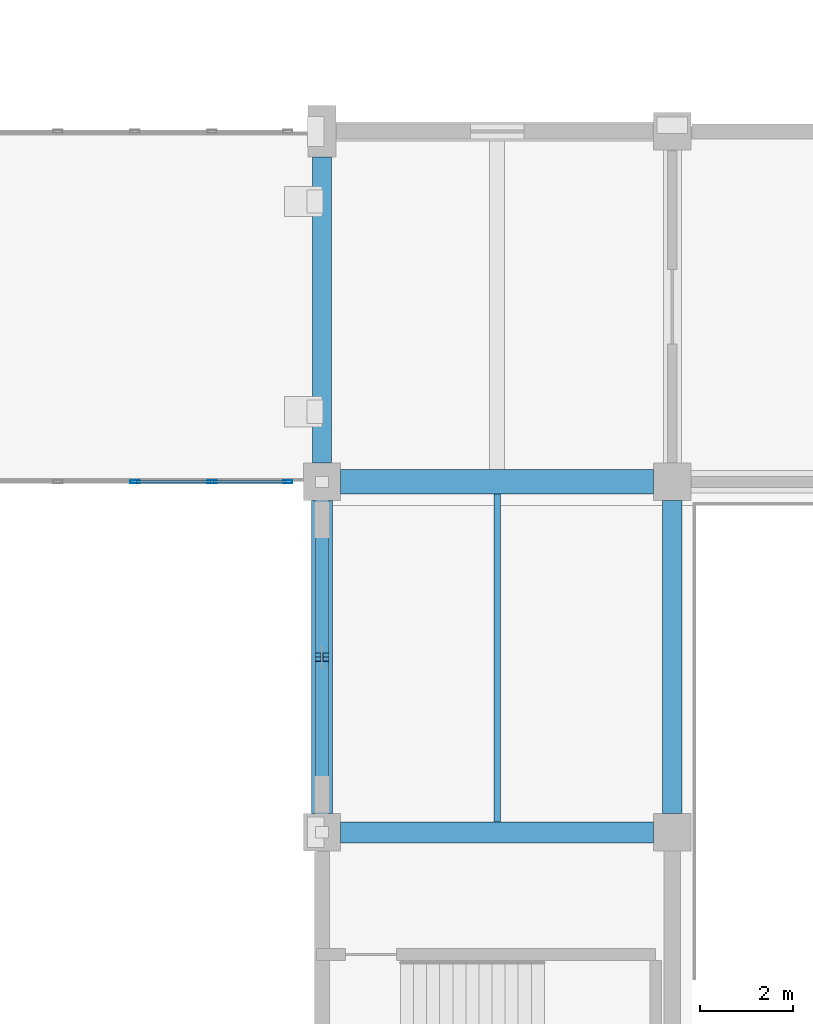
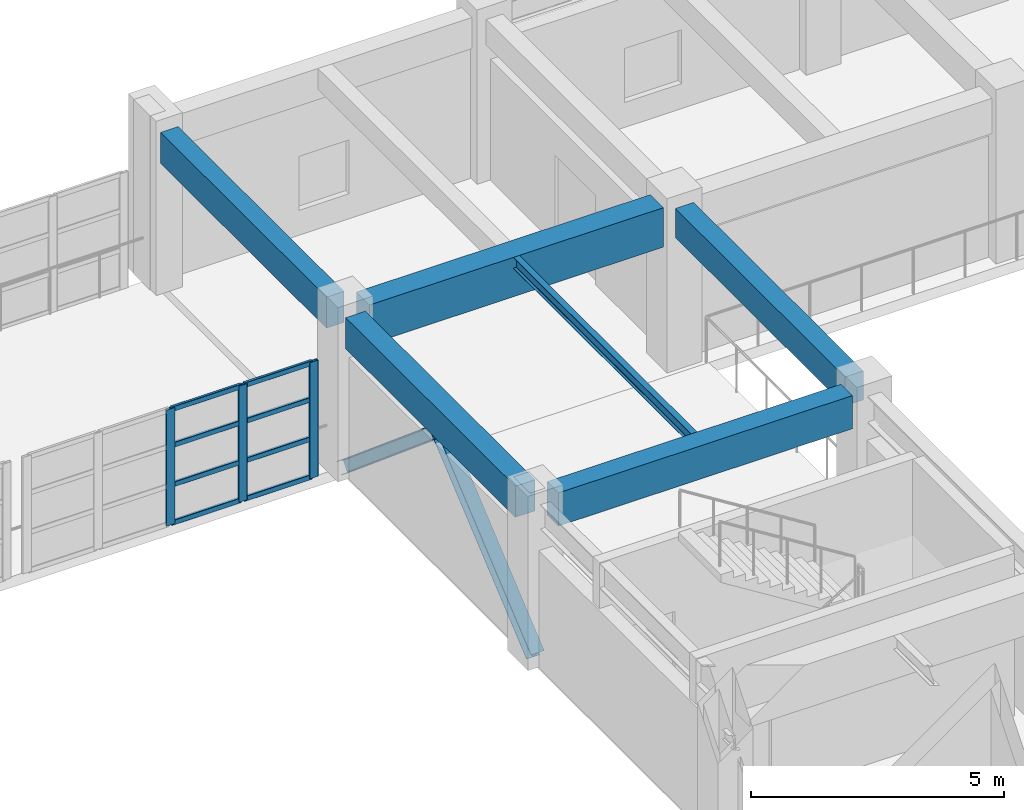
# One storey, part 45 of 124: 13 members, 6 beams, 1 element without a shape of its own.
"""IFC4 building model written with IfcOpenShell, lengths in metres."""

from ifc_helpers import new_model, si_unit, direction, frame, origin, origin_2d, place, context, subcontext, project, spatial, rectangle, hollow_rectangle, i_section, extrude, material, material_profile, profile_set, type_object, element, aggregate, save


model = new_model("IFC4")

# Units and contexts
model_context = context("Model", 3, precision=1e-05, world=origin(), true_north=direction((0.0, 1.0)))
body_context = subcontext(model_context, "Body", "Model", "MODEL_VIEW")
ifc_project = project(units=[si_unit("LENGTHUNIT", "METRE"), si_unit("AREAUNIT", "SQUARE_METRE"), si_unit("VOLUMEUNIT", "CUBIC_METRE"), si_unit("PLANEANGLEUNIT", "RADIAN"), si_unit("MASSUNIT", "GRAM", prefix="KILO")], contexts=[model_context])

# Site, building, storey
site_placement = place(None, origin())
site = spatial("IfcSite", under=ifc_project, at=site_placement, CompositionType="ELEMENT")
building_placement = place(site_placement, origin())
building = spatial("IfcBuilding", under=site, at=building_placement, Name="Qasida Concert Hall", CompositionType="ELEMENT")
storey_placement = place(building_placement, frame((0.0, 0.0, 9.0)))
storey = spatial("IfcBuildingStorey", under=building, at=storey_placement, Name="L02", CompositionType="ELEMENT", Elevation=9.0)

# Beams
ifc_material_1 = material(Name="Concrete C40/50", Category="concrete")
ifc_material_profile_1 = material_profile(ifc_material_1, rectangle(XDim=0.419921875, YDim=0.699951171875, at=origin_2d()), Name="RC 420x700")
ifc_profile_set_1 = profile_set([ifc_material_profile_1], Name="Concrete C40/50")
beam_type_1 = type_object("IfcBeamType", Name="BM-B11", PredefinedType="BEAM", material=ifc_profile_set_1)
beam_1_placement = place(storey_placement, frame((60.0, 67.89990234375, 3.550048828125), z_axis=(0.0, 1.0, 0.0), x_axis=(-1.0, 0.0, 0.0)))
element("IfcBeam", 1, at=beam_1_placement, inside=storey, type_object=beam_type_1, Name="L02 girder 1181", PredefinedType="BEAM", context=body_context, shape_type="SweptSolid", body=[
    extrude(rectangle(XDim=0.419921875, YDim=0.699951171875, at=origin_2d()), origin(), (0.0, 0.0, 1.0), 6.7001953125),
])
ifc_material_profile_2 = material_profile(ifc_material_1, rectangle(XDim=0.449951171875, YDim=0.800048828125, at=origin_2d()), Name="RC 450x800")
ifc_profile_set_2 = profile_set([ifc_material_profile_2], Name="Concrete C40/50")
beam_type_2 = type_object("IfcBeamType", Name="BM-G2", PredefinedType="USERDEFINED", material=ifc_profile_set_2)
beam_2_placement = place(storey_placement, frame((52.89990234375, 67.5, 3.5), z_axis=(1.0, 0.0, 0.0), x_axis=(0.0, 1.0, 0.0)))
element("IfcBeam", 2, at=beam_2_placement, inside=storey, type_object=beam_type_2, Name="Primary girder 1155", ObjectType="GIRDER", PredefinedType="USERDEFINED", context=body_context, shape_type="SweptSolid", body=[
    extrude(rectangle(XDim=0.449951171875, YDim=0.800048828125, at=origin_2d()), origin(), (0.0, 0.0, 1.0), 6.7001953125),
])
ifc_material_profile_3 = material_profile(ifc_material_1, rectangle(XDim=0.52001953125, YDim=0.949951171875, at=origin_2d()), Name="RC 520x950")
ifc_profile_set_3 = profile_set([ifc_material_profile_3], Name="Concrete C40/50")
beam_type_3 = type_object("IfcBeamType", Name="BM-G7", PredefinedType="USERDEFINED", material=ifc_profile_set_3)
beam_3_placement = place(storey_placement, frame((52.89990234375, 75.0, 3.425048828125), z_axis=(1.0, 0.0, 0.0), x_axis=(0.0, 1.0, 0.0)))
element("IfcBeam", 3, at=beam_3_placement, inside=storey, type_object=beam_type_3, Name="Primary girder 1157", ObjectType="GIRDER", PredefinedType="USERDEFINED", context=body_context, shape_type="SweptSolid", body=[
    extrude(rectangle(XDim=0.52001953125, YDim=0.949951171875, at=origin_2d()), origin(), (0.0, 0.0, 1.0), 6.7001953125),
])
ifc_material_2 = material(Name="Steel S355J2", Category="steel")
ifc_material_profile_4 = material_profile(ifc_material_2, i_section(OverallWidth=0.135009765625, OverallDepth=0.27001953125, WebThickness=0.006591796875, FlangeThickness=0.01025390625, FilletRadius=0.014892578125, at=origin_2d()), Name="IPE 270")
ifc_profile_set_4 = profile_set([ifc_material_profile_4], Name="Steel S355J2")
beam_type_4 = type_object("IfcBeamType", Name="BM-J6", PredefinedType="JOIST", material=ifc_profile_set_4)
beam_4_placement = place(storey_placement, frame((56.25, 67.72509765625, 3.764892578125), z_axis=(0.0, 1.0, 0.0), x_axis=(-1.0, 0.0, 0.0)))
element("IfcBeam", 4, at=beam_4_placement, inside=storey, type_object=beam_type_4, Name="L02 secondary joist 1205", PredefinedType="JOIST", context=body_context, shape_type="SweptSolid", body=[
    extrude(i_section(OverallWidth=0.135009765625, OverallDepth=0.27001953125, WebThickness=0.006591796875, FlangeThickness=0.01025390625, FilletRadius=0.014892578125, at=origin_2d()), origin(), (0.0, 0.0, 1.0), 7.014892578125),
])
ifc_material_profile_5 = material_profile(ifc_material_1, rectangle(XDim=0.39990234375, YDim=0.75, at=origin_2d()), Name="RC 400x750")
ifc_profile_set_5 = profile_set([ifc_material_profile_5], Name="Concrete C40/50")
beam_type_5 = type_object("IfcBeamType", Name="BM-SP1", PredefinedType="SPANDREL", material=ifc_profile_set_5)
beam_5_placement = place(storey_placement, frame((52.5, 75.39990234375, 3.52490234375), z_axis=(0.0, 1.0, 0.0), x_axis=(-1.0, 0.0, 0.0)))
element("IfcBeam", 5, at=beam_5_placement, inside=storey, type_object=beam_type_5, Name="L02 girder 1176", PredefinedType="SPANDREL", context=body_context, shape_type="SweptSolid", body=[
    extrude(rectangle(XDim=0.39990234375, YDim=0.75, at=origin_2d()), origin(), (0.0, 0.0, 1.0), 6.550048828125),
])
ifc_material_profile_6 = material_profile(ifc_material_1, rectangle(XDim=0.449951171875, YDim=0.75, at=origin_2d()), Name="RC 450x750")
ifc_profile_set_6 = profile_set([ifc_material_profile_6], Name="Concrete C40/50")
beam_type_6 = type_object("IfcBeamType", Name="BM-SP4", PredefinedType="SPANDREL", material=ifc_profile_set_6)
beam_6_placement = place(storey_placement, frame((52.5, 67.89990234375, 3.52490234375), z_axis=(0.0, 1.0, 0.0), x_axis=(-1.0, 0.0, 0.0)))
element("IfcBeam", 6, at=beam_6_placement, inside=storey, type_object=beam_type_6, Name="L02 girder 1175", PredefinedType="SPANDREL", context=body_context, shape_type="SweptSolid", body=[
    extrude(rectangle(XDim=0.449951171875, YDim=0.75, at=origin_2d()), origin(), (0.0, 0.0, 1.0), 6.7001953125),
])

# Members
ifc_material_profile_7 = material_profile(ifc_material_2, i_section(OverallWidth=0.300048828125, OverallDepth=0.2900390625, WebThickness=0.008544921875, FlangeThickness=0.013916015625, FilletRadius=0.027099609375, at=origin_2d()), Name="HEA 300")
ifc_profile_set_7 = profile_set([ifc_material_profile_7], Name="Steel S355J2")
member_type_1 = type_object("IfcMemberType", Name="MB-BR9", PredefinedType="BRACE", material=ifc_profile_set_7)
for number, where, z_axis, x_axis, name in (
    (7, (52.5, 67.5, 0.0), (0.0, 0.765714685296, 0.643180395162), (-1.0, 0.0, 0.0), "L02 chevron brace CBF-0005"),
    (8, (52.5, 75.0, 0.0), (0.0, -0.765714685296, 0.643180395162), (1.0, 0.0, 0.0), "L02 chevron brace CBF-0006"),
):
    element("IfcMember", number, at=place(storey_placement, frame(where, z_axis=z_axis, x_axis=x_axis)), inside=storey, type_object=member_type_1, Name=name, PredefinedType="BRACE", context=body_context, shape_type="SweptSolid", body=[
        extrude(i_section(OverallWidth=0.300048828125, OverallDepth=0.2900390625, WebThickness=0.008544921875, FlangeThickness=0.013916015625, FilletRadius=0.027099609375, at=origin_2d()), origin(), (0.0, 0.0, 1.0), 4.8974609375),
    ])

# Curtain wall, members
ifc_material_3 = material(Name="Architectural bronze-anodized aluminium and low-E glass", Category="aluminium")
curtain_wall_type = type_object("IfcCurtainWallType", Name="CW-08", PredefinedType="NOTDEFINED", material=ifc_material_3)
curtain_wall_placement = place(storey_placement, origin())
curtain_wall = element("IfcCurtainWall", 9, at=curtain_wall_placement, inside=storey, type_object=curtain_wall_type, Name="L02 link bridge glazing 0220", PredefinedType="NOTDEFINED")
ifc_material_4 = material(Name="Architectural bronze-anodized aluminium EN AW-6063", Category="aluminium")
ifc_material_profile_8 = material_profile(ifc_material_4, hollow_rectangle(XDim=0.06494140625, YDim=0.199951171875, WallThickness=0.0048828125, InnerFilletRadius=0.0048828125, OuterFilletRadius=0.010009765625, at=origin_2d()), Name="CWM 200x65x5")
ifc_profile_set_8 = profile_set([ifc_material_profile_8], Name="Architectural bronze-anodized aluminium EN AW-6063")
member_type_2 = type_object("IfcMemberType", Name="MB-CWM-2", PredefinedType="MULLION", material=ifc_profile_set_8)
member_1_placement = place(storey_placement, frame((48.5, 75.0, 0.0), z_axis=(0.0, 0.0, 1.0), x_axis=(0.0, 1.0, 0.0)))
member_1 = element("IfcMember", 10, at=member_1_placement, type_object=member_type_2, Name="CW-08 mullion 3", PredefinedType="MULLION", context=body_context, shape_type="SweptSolid", body=[
    extrude(hollow_rectangle(XDim=0.06494140625, YDim=0.199951171875, WallThickness=0.0048828125, InnerFilletRadius=0.0048828125, OuterFilletRadius=0.010009765625, at=origin_2d()), origin(), (0.0, 0.0, 1.0), 2.800048828125),
])
member_2_placement = place(storey_placement, frame((50.14990234375, 75.0, 0.0), z_axis=(0.0, 0.0, 1.0), x_axis=(0.0, 1.0, 0.0)))
member_2 = element("IfcMember", 11, at=member_2_placement, type_object=member_type_2, Name="CW-08 mullion 4", PredefinedType="MULLION", context=body_context, shape_type="SweptSolid", body=[
    extrude(hollow_rectangle(XDim=0.06494140625, YDim=0.199951171875, WallThickness=0.0048828125, InnerFilletRadius=0.0048828125, OuterFilletRadius=0.010009765625, at=origin_2d()), origin(), (0.0, 0.0, 1.0), 2.800048828125),
])
member_3_placement = place(storey_placement, frame((51.767578125, 75.0, 0.0), z_axis=(0.0, 0.0, 1.0), x_axis=(0.0, 1.0, 0.0)))
member_3 = element("IfcMember", 12, at=member_3_placement, type_object=member_type_2, Name="CW-08 mullion 5", PredefinedType="MULLION", context=body_context, shape_type="SweptSolid", body=[
    extrude(hollow_rectangle(XDim=0.06494140625, YDim=0.199951171875, WallThickness=0.0048828125, InnerFilletRadius=0.0048828125, OuterFilletRadius=0.010009765625, at=origin_2d()), origin(), (0.0, 0.0, 1.0), 2.800048828125),
])
ifc_material_profile_9 = material_profile(ifc_material_4, hollow_rectangle(XDim=0.06005859375, YDim=0.1201171875, WallThickness=0.00390625, InnerFilletRadius=0.00390625, OuterFilletRadius=0.008056640625, at=origin_2d()), Name="CWT 120x60x4")
ifc_profile_set_9 = profile_set([ifc_material_profile_9], Name="Architectural bronze-anodized aluminium EN AW-6063")
member_type_3 = type_object("IfcMemberType", Name="MB-CWT-2", PredefinedType="USERDEFINED", material=ifc_profile_set_9)
member_4_placement = place(storey_placement, frame((48.532470703125, 75.0, 0.030029296875), z_axis=(1.0, 0.0, 0.0), x_axis=(0.0, 1.0, 0.0)))
member_4 = element("IfcMember", 13, at=member_4_placement, type_object=member_type_3, Name="CW-08 transom 3.1", ObjectType="TRANSOM", PredefinedType="USERDEFINED", context=body_context, shape_type="SweptSolid", body=[
    extrude(hollow_rectangle(XDim=0.06005859375, YDim=0.1201171875, WallThickness=0.00390625, InnerFilletRadius=0.00390625, OuterFilletRadius=0.008056640625, at=origin_2d()), origin(), (0.0, 0.0, 1.0), 1.5849609375),
])
member_5_placement = place(storey_placement, frame((48.532470703125, 75.0, 0.949951171875), z_axis=(1.0, 0.0, 0.0), x_axis=(0.0, 1.0, 0.0)))
member_5 = element("IfcMember", 14, at=member_5_placement, type_object=member_type_3, Name="CW-08 transom 3.2", ObjectType="TRANSOM", PredefinedType="USERDEFINED", context=body_context, shape_type="SweptSolid", body=[
    extrude(hollow_rectangle(XDim=0.06005859375, YDim=0.1201171875, WallThickness=0.00390625, InnerFilletRadius=0.00390625, OuterFilletRadius=0.008056640625, at=origin_2d()), origin(), (0.0, 0.0, 1.0), 1.5849609375),
])
member_6_placement = place(storey_placement, frame((48.532470703125, 75.0, 1.89990234375), z_axis=(1.0, 0.0, 0.0), x_axis=(0.0, 1.0, 0.0)))
member_6 = element("IfcMember", 15, at=member_6_placement, type_object=member_type_3, Name="CW-08 transom 3.3", ObjectType="TRANSOM", PredefinedType="USERDEFINED", context=body_context, shape_type="SweptSolid", body=[
    extrude(hollow_rectangle(XDim=0.06005859375, YDim=0.1201171875, WallThickness=0.00390625, InnerFilletRadius=0.00390625, OuterFilletRadius=0.008056640625, at=origin_2d()), origin(), (0.0, 0.0, 1.0), 1.5849609375),
])
member_7_placement = place(storey_placement, frame((48.532470703125, 75.0, 2.77001953125), z_axis=(1.0, 0.0, 0.0), x_axis=(0.0, 1.0, 0.0)))
member_7 = element("IfcMember", 16, at=member_7_placement, type_object=member_type_3, Name="CW-08 transom 3.4", ObjectType="TRANSOM", PredefinedType="USERDEFINED", context=body_context, shape_type="SweptSolid", body=[
    extrude(hollow_rectangle(XDim=0.06005859375, YDim=0.1201171875, WallThickness=0.00390625, InnerFilletRadius=0.00390625, OuterFilletRadius=0.008056640625, at=origin_2d()), origin(), (0.0, 0.0, 1.0), 1.5849609375),
])
member_8_placement = place(storey_placement, frame((50.1826171875, 75.0, 0.030029296875), z_axis=(1.0, 0.0, 0.0), x_axis=(0.0, 1.0, 0.0)))
member_8 = element("IfcMember", 17, at=member_8_placement, type_object=member_type_3, Name="CW-08 transom 4.1", ObjectType="TRANSOM", PredefinedType="USERDEFINED", context=body_context, shape_type="SweptSolid", body=[
    extrude(hollow_rectangle(XDim=0.06005859375, YDim=0.1201171875, WallThickness=0.00390625, InnerFilletRadius=0.00390625, OuterFilletRadius=0.008056640625, at=origin_2d()), origin(), (0.0, 0.0, 1.0), 1.552490234375),
])
member_9_placement = place(storey_placement, frame((50.1826171875, 75.0, 0.949951171875), z_axis=(1.0, 0.0, 0.0), x_axis=(0.0, 1.0, 0.0)))
member_9 = element("IfcMember", 18, at=member_9_placement, type_object=member_type_3, Name="CW-08 transom 4.2", ObjectType="TRANSOM", PredefinedType="USERDEFINED", context=body_context, shape_type="SweptSolid", body=[
    extrude(hollow_rectangle(XDim=0.06005859375, YDim=0.1201171875, WallThickness=0.00390625, InnerFilletRadius=0.00390625, OuterFilletRadius=0.008056640625, at=origin_2d()), origin(), (0.0, 0.0, 1.0), 1.552490234375),
])
member_10_placement = place(storey_placement, frame((50.1826171875, 75.0, 1.89990234375), z_axis=(1.0, 0.0, 0.0), x_axis=(0.0, 1.0, 0.0)))
member_10 = element("IfcMember", 19, at=member_10_placement, type_object=member_type_3, Name="CW-08 transom 4.3", ObjectType="TRANSOM", PredefinedType="USERDEFINED", context=body_context, shape_type="SweptSolid", body=[
    extrude(hollow_rectangle(XDim=0.06005859375, YDim=0.1201171875, WallThickness=0.00390625, InnerFilletRadius=0.00390625, OuterFilletRadius=0.008056640625, at=origin_2d()), origin(), (0.0, 0.0, 1.0), 1.552490234375),
])
member_11_placement = place(storey_placement, frame((50.1826171875, 75.0, 2.77001953125), z_axis=(1.0, 0.0, 0.0), x_axis=(0.0, 1.0, 0.0)))
member_11 = element("IfcMember", 20, at=member_11_placement, type_object=member_type_3, Name="CW-08 transom 4.4", ObjectType="TRANSOM", PredefinedType="USERDEFINED", context=body_context, shape_type="SweptSolid", body=[
    extrude(hollow_rectangle(XDim=0.06005859375, YDim=0.1201171875, WallThickness=0.00390625, InnerFilletRadius=0.00390625, OuterFilletRadius=0.008056640625, at=origin_2d()), origin(), (0.0, 0.0, 1.0), 1.552490234375),
])
aggregate(curtain_wall, [member_1, member_2, member_3, member_4, member_5, member_6, member_7, member_8, member_9, member_10, member_11])

save(model, "model.ifc")
